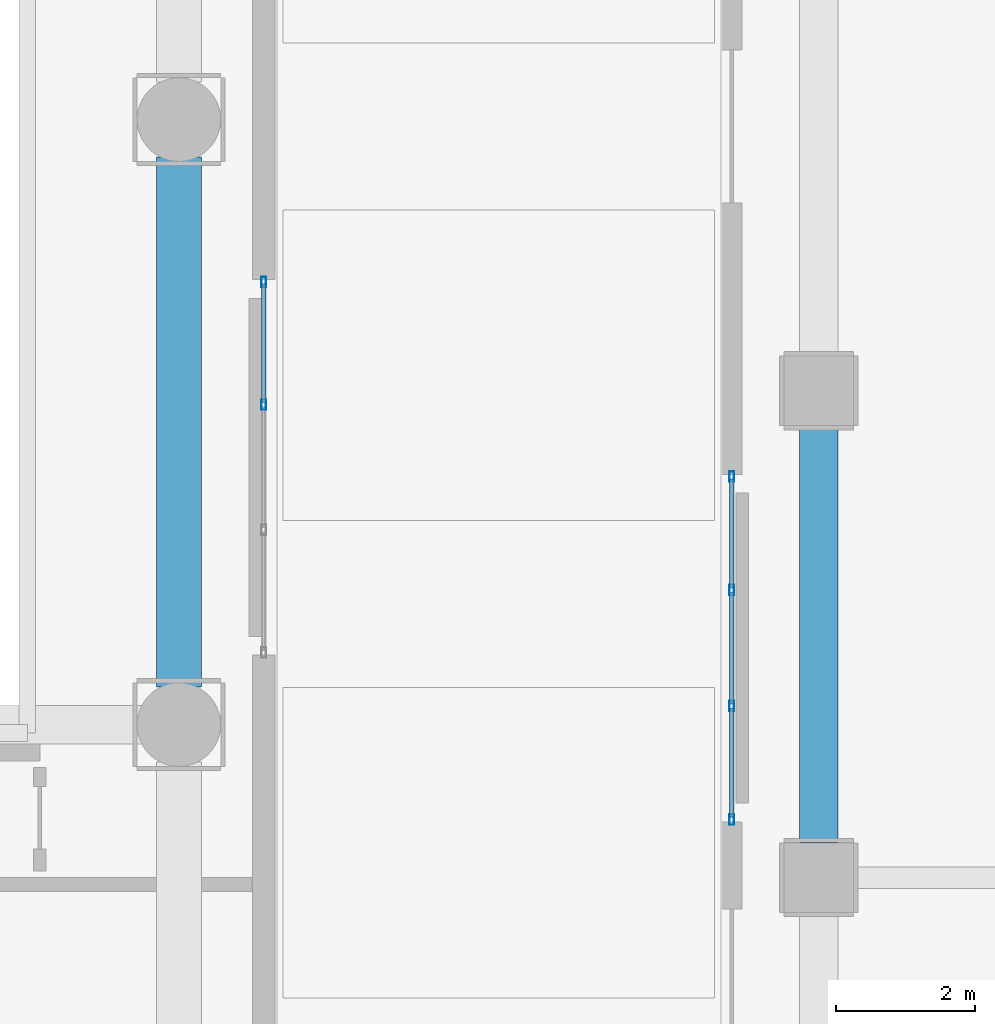
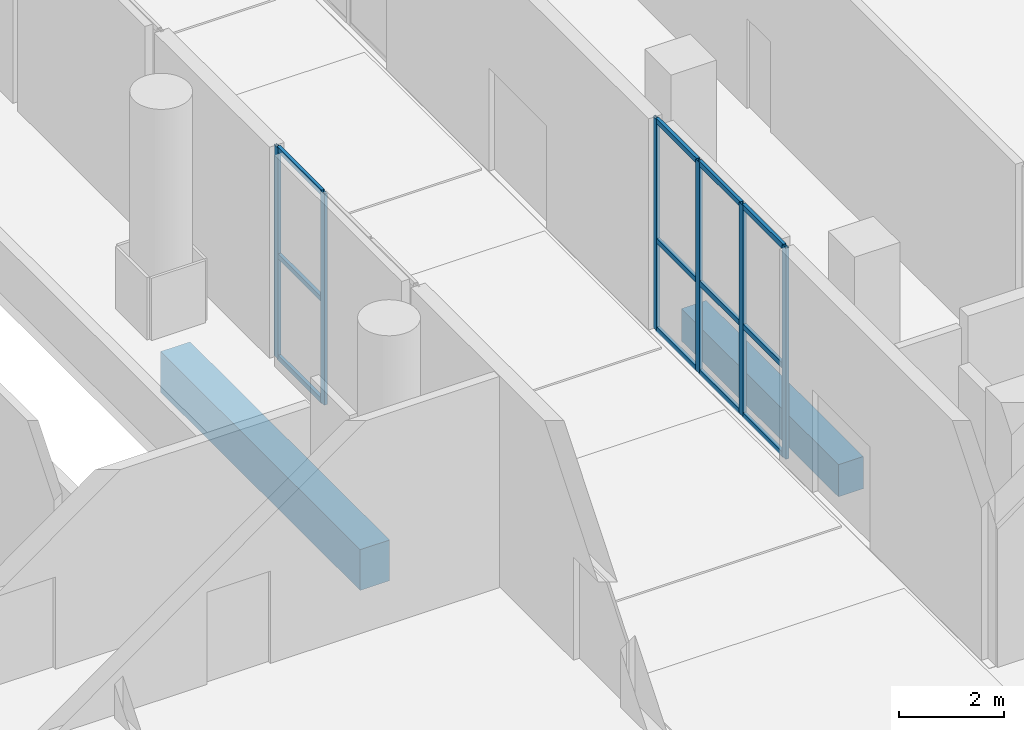
# One storey, part 10 of 30: 18 members, 2 beams, 2 elements without a shape of their own.
"""IFC4 building model written with IfcOpenShell, lengths in metres."""

from ifc_helpers import new_model, si_unit, direction, frame, origin, origin_2d, place, context, subcontext, project, spatial, rectangle, hollow_rectangle, extrude, material, layer, layer_set, material_profile, profile_set, type_object, element, aggregate, save


model = new_model("IFC4")

# Units and contexts
model_context = context("Model", 3, precision=1e-05, world=origin(), true_north=direction((0.0, 1.0)))
body_context = subcontext(model_context, "Body", "Model", "MODEL_VIEW")
ifc_project = project(units=[si_unit("LENGTHUNIT", "METRE"), si_unit("AREAUNIT", "SQUARE_METRE"), si_unit("VOLUMEUNIT", "CUBIC_METRE"), si_unit("PLANEANGLEUNIT", "RADIAN"), si_unit("MASSUNIT", "GRAM", prefix="KILO")], contexts=[model_context])

# Site, building, storey
site_placement = place(None, origin())
site = spatial("IfcSite", under=ifc_project, at=site_placement, CompositionType="ELEMENT")
building_placement = place(site_placement, origin())
building = spatial("IfcBuilding", under=site, at=building_placement, Name="Solanera Arch Residences", CompositionType="ELEMENT")
storey_placement = place(building_placement, origin())
storey = spatial("IfcBuildingStorey", under=building, at=storey_placement, Name="L00", CompositionType="ELEMENT", Elevation=0.0)

# Curtain wall, members
ifc_material_1 = material(Name="Anodised Aluminium Alloy 6063-T6", Category="aluminium")
ifc_layer_1 = layer(ifc_material_1, 0.14990234375)
ifc_layer_set_1 = layer_set([ifc_layer_1], Name="Anodised Aluminium Alloy 6063-T6")
curtain_wall_type_1 = type_object("IfcCurtainWallType", Name="CW-2 Paseo Shopfront Glazing", PredefinedType="USERDEFINED", material=ifc_layer_set_1)
curtain_wall_1_placement = place(storey_placement, origin())
curtain_wall_1 = element("IfcCurtainWall", 1, at=curtain_wall_1_placement, inside=storey, type_object=curtain_wall_type_1, Name="L00 Paseo Shopfront Curtain Wall 2", ObjectType="CURTAIN_WALL", PredefinedType="USERDEFINED")
ifc_material_2 = material(Name="Anodised Aluminium Alloy 6063-T6", Category="aluminium")
ifc_material_profile_1 = material_profile(ifc_material_2, hollow_rectangle(XDim=0.070068359375, YDim=0.14990234375, WallThickness=0.00390625, at=origin_2d()))
ifc_profile_set_1 = profile_set([ifc_material_profile_1], Name="Anodised Aluminium Alloy 6063-T6")
member_type_1 = type_object("IfcMemberType", Name="Curtain Wall Mullion ALU-MUL-70X150", PredefinedType="MULLION", material=ifc_profile_set_1)
member_1_placement = place(storey_placement, frame((47.820068359375, 28.364990234375, 0.0), z_axis=(0.0, 0.0, 1.0), x_axis=(1.0, 0.0, 0.0)))
member_1 = element("IfcMember", 2, at=member_1_placement, type_object=member_type_1, Name="CW-2 mullion 1", PredefinedType="MULLION", context=body_context, shape_type="SweptSolid", body=[
    extrude(hollow_rectangle(XDim=0.070068359375, YDim=0.14990234375, WallThickness=0.00390625, at=origin_2d()), origin(), (0.0, 0.0, 1.0), 4.919921875),
])
member_2_placement = place(storey_placement, frame((47.820068359375, 26.60009765625, 0.0), z_axis=(0.0, 0.0, 1.0), x_axis=(1.0, 0.0, 0.0)))
member_2 = element("IfcMember", 3, at=member_2_placement, type_object=member_type_1, Name="CW-2 mullion 2", PredefinedType="MULLION", context=body_context, shape_type="SweptSolid", body=[
    extrude(hollow_rectangle(XDim=0.070068359375, YDim=0.14990234375, WallThickness=0.00390625, at=origin_2d()), origin(), (0.0, 0.0, 1.0), 4.919921875),
])

ifc_material_3 = material(Name="Anodised Aluminium Alloy 6063-T6", Category="aluminium")
ifc_layer_2 = layer(ifc_material_3, 0.159912109375)
ifc_layer_set_2 = layer_set([ifc_layer_2], Name="Anodised Aluminium Alloy 6063-T6")
curtain_wall_type_2 = type_object("IfcCurtainWallType", Name="CW-3 Sports Hall Foyer Curtain Wall", PredefinedType="USERDEFINED", material=ifc_layer_set_2)
curtain_wall_2_placement = place(storey_placement, origin())
curtain_wall_2 = element("IfcCurtainWall", 4, at=curtain_wall_2_placement, inside=storey, type_object=curtain_wall_type_2, Name="L00 Sports Hall Foyer Curtain Wall 1", ObjectType="CURTAIN_WALL", PredefinedType="USERDEFINED")
member_3_placement = place(storey_placement, frame((54.550048828125, 20.635009765625, 0.0), z_axis=(0.0, 0.0, 1.0), x_axis=(-1.0, 0.0, 0.0)))
member_3 = element("IfcMember", 5, at=member_3_placement, type_object=member_type_1, Name="CW-3 mullion 1", PredefinedType="MULLION", context=body_context, shape_type="SweptSolid", body=[
    extrude(hollow_rectangle(XDim=0.070068359375, YDim=0.14990234375, WallThickness=0.00390625, at=origin_2d()), origin(), (0.0, 0.0, 1.0), 4.919921875),
])
member_4_placement = place(storey_placement, frame((54.550048828125, 22.2666015625, 0.0), z_axis=(0.0, 0.0, 1.0), x_axis=(-1.0, 0.0, 0.0)))
member_4 = element("IfcMember", 6, at=member_4_placement, type_object=member_type_1, Name="CW-3 mullion 2", PredefinedType="MULLION", context=body_context, shape_type="SweptSolid", body=[
    extrude(hollow_rectangle(XDim=0.070068359375, YDim=0.14990234375, WallThickness=0.00390625, at=origin_2d()), origin(), (0.0, 0.0, 1.0), 4.919921875),
])
member_5_placement = place(storey_placement, frame((54.550048828125, 23.933349609375, 0.0), z_axis=(0.0, 0.0, 1.0), x_axis=(-1.0, 0.0, 0.0)))
member_5 = element("IfcMember", 7, at=member_5_placement, type_object=member_type_1, Name="CW-3 mullion 3", PredefinedType="MULLION", context=body_context, shape_type="SweptSolid", body=[
    extrude(hollow_rectangle(XDim=0.070068359375, YDim=0.14990234375, WallThickness=0.00390625, at=origin_2d()), origin(), (0.0, 0.0, 1.0), 4.919921875),
])
member_6_placement = place(storey_placement, frame((54.550048828125, 25.56494140625, 0.0), z_axis=(0.0, 0.0, 1.0), x_axis=(-1.0, 0.0, 0.0)))
member_6 = element("IfcMember", 8, at=member_6_placement, type_object=member_type_1, Name="CW-3 mullion 4", PredefinedType="MULLION", context=body_context, shape_type="SweptSolid", body=[
    extrude(hollow_rectangle(XDim=0.070068359375, YDim=0.14990234375, WallThickness=0.00390625, at=origin_2d()), origin(), (0.0, 0.0, 1.0), 4.919921875),
])

# Member
ifc_material_4 = material(Name="Anodised Aluminium Alloy 6063-T6", Category="aluminium")
ifc_material_profile_2 = material_profile(ifc_material_4, hollow_rectangle(XDim=0.070068359375, YDim=0.1201171875, WallThickness=0.00390625, at=origin_2d()))
ifc_profile_set_2 = profile_set([ifc_material_profile_2], Name="Anodised Aluminium Alloy 6063-T6")
member_type_2 = type_object("IfcMemberType", Name="Curtain Wall Transom ALU-TRN-70X120", PredefinedType="USERDEFINED", material=ifc_profile_set_2)
member_7_placement = place(storey_placement, frame((47.820068359375, 28.330078125, 0.034912109375), z_axis=(0.0, -1.0, 0.0), x_axis=(1.0, 0.0, 0.0)))
member_7 = element("IfcMember", 9, at=member_7_placement, type_object=member_type_2, Name="CW-2 transom 1.1", ObjectType="TRANSOM", PredefinedType="USERDEFINED", context=body_context, shape_type="SweptSolid", body=[
    extrude(hollow_rectangle(XDim=0.070068359375, YDim=0.1201171875, WallThickness=0.00390625, at=origin_2d()), origin(), (0.0, 0.0, 1.0), 1.695068359375),
])

member_8_placement = place(storey_placement, frame((47.820068359375, 28.330078125, 2.39990234375), z_axis=(0.0, -1.0, 0.0), x_axis=(1.0, 0.0, 0.0)))
member_8 = element("IfcMember", 10, at=member_8_placement, type_object=member_type_2, Name="CW-2 transom 1.2", ObjectType="TRANSOM", PredefinedType="USERDEFINED", context=body_context, shape_type="SweptSolid", body=[
    extrude(hollow_rectangle(XDim=0.070068359375, YDim=0.1201171875, WallThickness=0.00390625, at=origin_2d()), origin(), (0.0, 0.0, 1.0), 1.695068359375),
])

member_9_placement = place(storey_placement, frame((47.820068359375, 28.330078125, 4.885009765625), z_axis=(0.0, -1.0, 0.0), x_axis=(1.0, 0.0, 0.0)))
member_9 = element("IfcMember", 11, at=member_9_placement, type_object=member_type_2, Name="CW-2 transom 1.3", ObjectType="TRANSOM", PredefinedType="USERDEFINED", context=body_context, shape_type="SweptSolid", body=[
    extrude(hollow_rectangle(XDim=0.070068359375, YDim=0.1201171875, WallThickness=0.00390625, at=origin_2d()), origin(), (0.0, 0.0, 1.0), 1.695068359375),
])

aggregate(curtain_wall_1, [member_1, member_2, member_7, member_8, member_9])

member_10_placement = place(storey_placement, frame((54.550048828125, 20.669921875, 0.034912109375), z_axis=(0.0, 1.0, 0.0), x_axis=(-1.0, 0.0, 0.0)))
member_10 = element("IfcMember", 12, at=member_10_placement, type_object=member_type_2, Name="CW-3 transom 1.1", ObjectType="TRANSOM", PredefinedType="USERDEFINED", context=body_context, shape_type="SweptSolid", body=[
    extrude(hollow_rectangle(XDim=0.070068359375, YDim=0.1201171875, WallThickness=0.00390625, at=origin_2d()), origin(), (0.0, 0.0, 1.0), 1.561767578125),
])

member_11_placement = place(storey_placement, frame((54.550048828125, 20.669921875, 2.10009765625), z_axis=(0.0, 1.0, 0.0), x_axis=(-1.0, 0.0, 0.0)))
member_11 = element("IfcMember", 13, at=member_11_placement, type_object=member_type_2, Name="CW-3 transom 1.2", ObjectType="TRANSOM", PredefinedType="USERDEFINED", context=body_context, shape_type="SweptSolid", body=[
    extrude(hollow_rectangle(XDim=0.070068359375, YDim=0.1201171875, WallThickness=0.00390625, at=origin_2d()), origin(), (0.0, 0.0, 1.0), 1.561767578125),
])

member_12_placement = place(storey_placement, frame((54.550048828125, 20.669921875, 4.885009765625), z_axis=(0.0, 1.0, 0.0), x_axis=(-1.0, 0.0, 0.0)))
member_12 = element("IfcMember", 14, at=member_12_placement, type_object=member_type_2, Name="CW-3 transom 1.3", ObjectType="TRANSOM", PredefinedType="USERDEFINED", context=body_context, shape_type="SweptSolid", body=[
    extrude(hollow_rectangle(XDim=0.070068359375, YDim=0.1201171875, WallThickness=0.00390625, at=origin_2d()), origin(), (0.0, 0.0, 1.0), 1.561767578125),
])

member_13_placement = place(storey_placement, frame((54.550048828125, 22.3017578125, 0.034912109375), z_axis=(0.0, 1.0, 0.0), x_axis=(-1.0, 0.0, 0.0)))
member_13 = element("IfcMember", 15, at=member_13_placement, type_object=member_type_2, Name="CW-3 transom 2.1", ObjectType="TRANSOM", PredefinedType="USERDEFINED", context=body_context, shape_type="SweptSolid", body=[
    extrude(hollow_rectangle(XDim=0.070068359375, YDim=0.1201171875, WallThickness=0.00390625, at=origin_2d()), origin(), (0.0, 0.0, 1.0), 1.5966796875),
])

member_14_placement = place(storey_placement, frame((54.550048828125, 22.3017578125, 2.10009765625), z_axis=(0.0, 1.0, 0.0), x_axis=(-1.0, 0.0, 0.0)))
member_14 = element("IfcMember", 16, at=member_14_placement, type_object=member_type_2, Name="CW-3 transom 2.2", ObjectType="TRANSOM", PredefinedType="USERDEFINED", context=body_context, shape_type="SweptSolid", body=[
    extrude(hollow_rectangle(XDim=0.070068359375, YDim=0.1201171875, WallThickness=0.00390625, at=origin_2d()), origin(), (0.0, 0.0, 1.0), 1.5966796875),
])

member_15_placement = place(storey_placement, frame((54.550048828125, 22.3017578125, 4.885009765625), z_axis=(0.0, 1.0, 0.0), x_axis=(-1.0, 0.0, 0.0)))
member_15 = element("IfcMember", 17, at=member_15_placement, type_object=member_type_2, Name="CW-3 transom 2.3", ObjectType="TRANSOM", PredefinedType="USERDEFINED", context=body_context, shape_type="SweptSolid", body=[
    extrude(hollow_rectangle(XDim=0.070068359375, YDim=0.1201171875, WallThickness=0.00390625, at=origin_2d()), origin(), (0.0, 0.0, 1.0), 1.5966796875),
])

member_16_placement = place(storey_placement, frame((54.550048828125, 23.96826171875, 0.034912109375), z_axis=(0.0, 1.0, 0.0), x_axis=(-1.0, 0.0, 0.0)))
member_16 = element("IfcMember", 18, at=member_16_placement, type_object=member_type_2, Name="CW-3 transom 3.1", ObjectType="TRANSOM", PredefinedType="USERDEFINED", context=body_context, shape_type="SweptSolid", body=[
    extrude(hollow_rectangle(XDim=0.070068359375, YDim=0.1201171875, WallThickness=0.00390625, at=origin_2d()), origin(), (0.0, 0.0, 1.0), 1.561767578125),
])

member_17_placement = place(storey_placement, frame((54.550048828125, 23.96826171875, 2.10009765625), z_axis=(0.0, 1.0, 0.0), x_axis=(-1.0, 0.0, 0.0)))
member_17 = element("IfcMember", 19, at=member_17_placement, type_object=member_type_2, Name="CW-3 transom 3.2", ObjectType="TRANSOM", PredefinedType="USERDEFINED", context=body_context, shape_type="SweptSolid", body=[
    extrude(hollow_rectangle(XDim=0.070068359375, YDim=0.1201171875, WallThickness=0.00390625, at=origin_2d()), origin(), (0.0, 0.0, 1.0), 1.561767578125),
])

member_18_placement = place(storey_placement, frame((54.550048828125, 23.96826171875, 4.885009765625), z_axis=(0.0, 1.0, 0.0), x_axis=(-1.0, 0.0, 0.0)))
member_18 = element("IfcMember", 20, at=member_18_placement, type_object=member_type_2, Name="CW-3 transom 3.3", ObjectType="TRANSOM", PredefinedType="USERDEFINED", context=body_context, shape_type="SweptSolid", body=[
    extrude(hollow_rectangle(XDim=0.070068359375, YDim=0.1201171875, WallThickness=0.00390625, at=origin_2d()), origin(), (0.0, 0.0, 1.0), 1.561767578125),
])

aggregate(curtain_wall_2, [member_3, member_4, member_5, member_6, member_10, member_11, member_12, member_13, member_14, member_15, member_16, member_17, member_18])

# Beams
ifc_material_5 = material(Name="Concrete C40/50 (f'c = 45 MPa)", Category="concrete")
ifc_material_profile_3 = material_profile(ifc_material_5, rectangle(XDim=0.550048828125, YDim=0.75, at=origin_2d()))
ifc_profile_set_3 = profile_set([ifc_material_profile_3], Name="Concrete C40/50 (f'c = 45 MPa)")
beam_type_1 = type_object("IfcBeamType", Name="Primary Beam RC-BM-550X750", PredefinedType="BEAM", material=ifc_profile_set_3)
beam_1_placement = place(storey_placement, frame((55.800048828125, 20.300048828125, -0.695068359375), z_axis=(0.0, 1.0, 0.0), x_axis=(-1.0, 0.0, 0.0)))
element("IfcBeam", 21, at=beam_1_placement, inside=storey, type_object=beam_type_1, Name="BM-L00-HW-2", PredefinedType="BEAM", context=body_context, shape_type="SweptSolid", body=[
    extrude(rectangle(XDim=0.550048828125, YDim=0.75, at=origin_2d()), origin(), (0.0, 0.0, 1.0), 6.0),
])
ifc_material_6 = material(Name="Concrete C40/50 (f'c = 45 MPa)", Category="concrete")
ifc_material_profile_4 = material_profile(ifc_material_6, rectangle(XDim=0.64990234375, YDim=0.949951171875, at=origin_2d()))
ifc_profile_set_4 = profile_set([ifc_material_profile_4], Name="Concrete C40/50 (f'c = 45 MPa)")
beam_type_2 = type_object("IfcBeamType", Name="Primary Beam RC-BM-650X950", PredefinedType="BEAM", material=ifc_profile_set_4)
beam_2_placement = place(storey_placement, frame((46.60009765625, 22.5400390625, -0.89501953125), z_axis=(0.0, 1.0, 0.0), x_axis=(-1.0, 0.0, 0.0)))
element("IfcBeam", 22, at=beam_2_placement, inside=storey, type_object=beam_type_2, Name="BM-L00-POD-E2", PredefinedType="BEAM", context=body_context, shape_type="SweptSolid", body=[
    extrude(rectangle(XDim=0.64990234375, YDim=0.949951171875, at=origin_2d()), origin(), (0.0, 0.0, 1.0), 7.619873046875),
])

save(model, "model.ifc")
